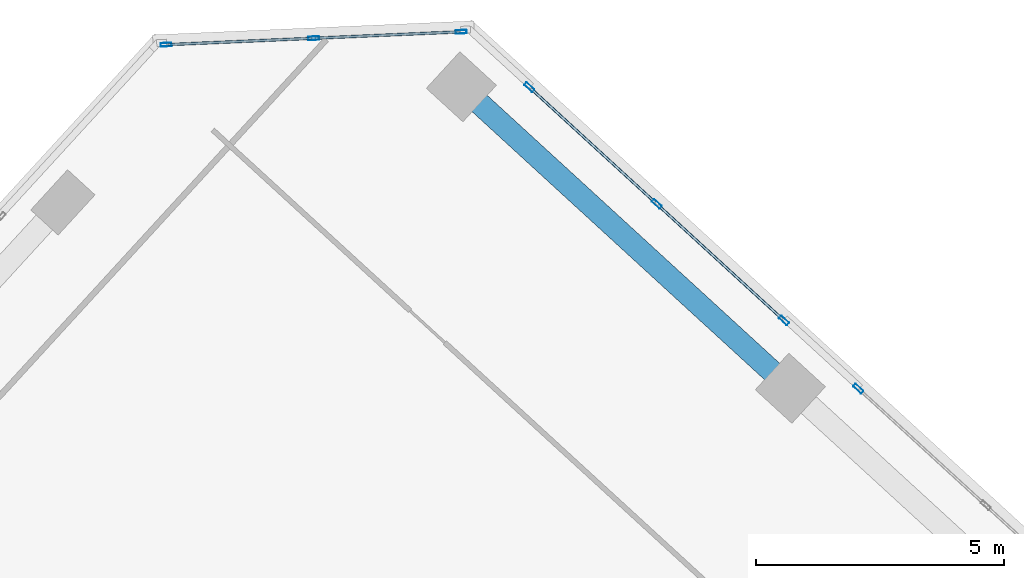
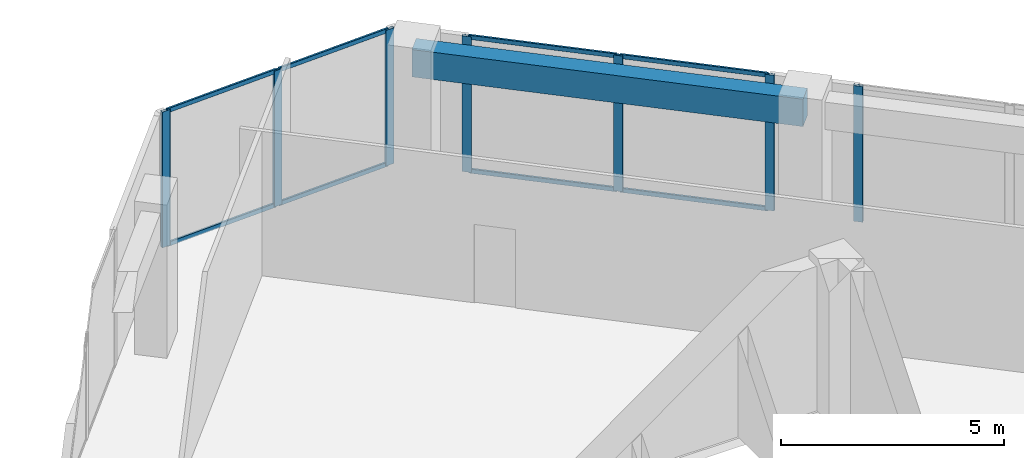
# One storey, part 11 of 18: 15 members, 1 beam, 3 elements without a shape of their own.
"""IFC4 building model written with IfcOpenShell, lengths in metres."""

from ifc_helpers import new_model, si_unit, direction, frame, origin, origin_2d, place, context, subcontext, project, spatial, rectangle, hollow_rectangle, extrude, source, transform, mapped, material, material_profile, profile_set, type_object, element, aggregate, save


model = new_model("IFC4")

# Units and contexts
model_context = context("Model", 3, precision=1e-05, world=origin(), true_north=direction((0.0, 1.0)))
body_context = subcontext(model_context, "Body", "Model", "MODEL_VIEW")
ifc_project = project(units=[si_unit("LENGTHUNIT", "METRE"), si_unit("AREAUNIT", "SQUARE_METRE"), si_unit("VOLUMEUNIT", "CUBIC_METRE"), si_unit("PLANEANGLEUNIT", "RADIAN"), si_unit("MASSUNIT", "GRAM", prefix="KILO")], contexts=[model_context])

# Site, building, storey
site_placement = place(None, origin())
site = spatial("IfcSite", under=ifc_project, at=site_placement, CompositionType="ELEMENT")
building_placement = place(site_placement, origin())
building = spatial("IfcBuilding", under=site, at=building_placement, Name="Torre Montelarca", CompositionType="ELEMENT")
storey_placement = place(building_placement, frame((0.0, 0.0, 233.199951171875)))
storey = spatial("IfcBuildingStorey", under=building, at=storey_placement, Name="L52", CompositionType="ELEMENT", Elevation=233.199951171875)

# Beam
ifc_material_1 = material(Name="Concrete C55/67", Category="concrete")
ifc_material_profile_1 = material_profile(ifc_material_1, rectangle(XDim=0.449951171875, YDim=0.75, at=origin_2d()), Name="RCB450X750", Category="concrete")
ifc_profile_set_1 = profile_set([ifc_material_profile_1], Name="Concrete C55/67")
beam_type = type_object("IfcBeamType", Name="BM-SP-RC750-EXT", PredefinedType="SPANDREL", material=ifc_profile_set_1)
shared_shape_1 = source(origin(), body_context, "Body", "SweptSolid", [
    extrude(rectangle(XDim=0.449951171875, YDim=0.75, at=origin_2d()), origin(), (0.0, 0.0, 1.0), 9.0),
])
beam_placement = place(storey_placement, frame((22.519287109375, 51.614501953125, 3.5849609375), z_axis=(0.73727686361, -0.675590724023, 0.0), x_axis=(0.675590724023, 0.73727686361, 0.0)))
element("IfcBeam", 1, at=beam_placement, inside=storey, type_object=beam_type, Name="L52 Grid Girder X 9.0-18.0 at Y=47.1", PredefinedType="SPANDREL", context=body_context, shape_type="MappedRepresentation", body=[
    mapped(shared_shape_1, transform((0.0, 0.0, 0.0), scale=1.0)),
])

# Curtain wall, members
ifc_material_2 = material(Name="Insulated low-E laminated glass", Category="glass")
curtain_wall_type = type_object("IfcCurtainWallType", Name="CW-SYS-Z3", PredefinedType="USERDEFINED", material=ifc_material_2)
curtain_wall_1_placement = place(storey_placement, origin())
curtain_wall_1 = element("IfcCurtainWall", 2, at=curtain_wall_1_placement, inside=storey, type_object=curtain_wall_type, Name="L52 Curtain Wall Run CW-T3-L52-E09-B1", ObjectType="UNITISED GLAZING", PredefinedType="USERDEFINED")
ifc_material_3 = material(Name="Anodised aluminium AA 6063-T6", Category="aluminium")
ifc_material_profile_2 = material_profile(ifc_material_3, hollow_rectangle(XDim=0.054931640625, YDim=0.1201171875, WallThickness=0.00341796875, InnerFilletRadius=0.00341796875, OuterFilletRadius=0.007080078125, at=origin_2d()), Name="ALU55X120X3.5", Category="aluminium")
ifc_profile_set_2 = profile_set([ifc_material_profile_2], Name="Anodised aluminium AA 6063-T6")
member_type_1 = type_object("IfcMemberType", Name="CWT-ALU120", PredefinedType="USERDEFINED", material=ifc_profile_set_2)
shared_shape_2 = source(origin(), body_context, "Body", "SweptSolid", [
    extrude(hollow_rectangle(XDim=0.054931640625, YDim=0.1201171875, WallThickness=0.00341796875, InnerFilletRadius=0.00341796875, OuterFilletRadius=0.007080078125, at=origin_2d()), origin(), (0.0, 0.0, 1.0), 2.903564453125),
])
member_1_placement = place(storey_placement, frame((22.4775390625, 52.721435546875, 0.027587890625), z_axis=(-0.999047412839, -0.043637906688, 0.0), x_axis=(0.043637906688, -0.999047412839, 0.0)))
member_1 = element("IfcMember", 3, at=member_1_placement, type_object=member_type_1, Name="CW transom 1.1", ObjectType="TRANSOM", PredefinedType="USERDEFINED", context=body_context, shape_type="MappedRepresentation", body=[
    mapped(shared_shape_2, transform((0.0, 0.0, 0.0), scale=1.0)),
])
member_2_placement = place(storey_placement, frame((22.4775390625, 52.721435546875, 3.692626953125), z_axis=(-0.999047412839, -0.043637906688, 0.0), x_axis=(0.043637906688, -0.999047412839, 0.0)))
member_2 = element("IfcMember", 4, at=member_2_placement, type_object=member_type_1, Name="CW transom 1.2", ObjectType="TRANSOM", PredefinedType="USERDEFINED", context=body_context, shape_type="MappedRepresentation", body=[
    mapped(shared_shape_2, transform((0.0, 0.0, 0.0), scale=1.0)),
])
member_3_placement = place(storey_placement, frame((19.501708984375, 52.59130859375, 0.027587890625), z_axis=(-0.99905107494, -0.043553985593, 0.0), x_axis=(0.043553985593, -0.99905107494, 0.0)))
member_3 = element("IfcMember", 5, at=member_3_placement, type_object=member_type_1, Name="CW transom 2.1", ObjectType="TRANSOM", PredefinedType="USERDEFINED", context=body_context, shape_type="MappedRepresentation", body=[
    mapped(shared_shape_2, transform((0.0, 0.0, 0.0), scale=1.0)),
])
member_4_placement = place(storey_placement, frame((19.501708984375, 52.59130859375, 3.692626953125), z_axis=(-0.99905107494, -0.043553985593, 0.0), x_axis=(0.043553985593, -0.99905107494, 0.0)))
member_4 = element("IfcMember", 6, at=member_4_placement, type_object=member_type_1, Name="CW transom 2.2", ObjectType="TRANSOM", PredefinedType="USERDEFINED", context=body_context, shape_type="MappedRepresentation", body=[
    mapped(shared_shape_2, transform((0.0, 0.0, 0.0), scale=1.0)),
])

curtain_wall_2_placement = place(storey_placement, origin())
curtain_wall_2 = element("IfcCurtainWall", 7, at=curtain_wall_2_placement, inside=storey, type_object=curtain_wall_type, Name="L52 Curtain Wall Run CW-T3-L52-E08-B4", ObjectType="UNITISED GLAZING", PredefinedType="USERDEFINED")
shared_shape_3 = source(origin(), body_context, "Body", "SweptSolid", [
    extrude(hollow_rectangle(XDim=0.054931640625, YDim=0.1201171875, WallThickness=0.00341796875, InnerFilletRadius=0.00341796875, OuterFilletRadius=0.007080078125, at=origin_2d()), origin(), (0.0, 0.0, 1.0), 3.407470703125),
])
member_5_placement = place(storey_placement, frame((28.998291015625, 46.92529296875, 0.027587890625), z_axis=(-0.73724335405, 0.675627291418, 0.0), x_axis=(-0.675627291418, -0.73724335405, 0.0)))
member_5 = element("IfcMember", 8, at=member_5_placement, type_object=member_type_1, Name="CW transom 1.1", ObjectType="TRANSOM", PredefinedType="USERDEFINED", context=body_context, shape_type="MappedRepresentation", body=[
    mapped(shared_shape_3, transform((0.0, 0.0, 0.0), scale=1.0)),
])
member_6_placement = place(storey_placement, frame((28.998291015625, 46.92529296875, 3.692626953125), z_axis=(-0.73724335405, 0.675627291418, 0.0), x_axis=(-0.675627291418, -0.73724335405, 0.0)))
member_6 = element("IfcMember", 9, at=member_6_placement, type_object=member_type_1, Name="CW transom 1.2", ObjectType="TRANSOM", PredefinedType="USERDEFINED", context=body_context, shape_type="MappedRepresentation", body=[
    mapped(shared_shape_3, transform((0.0, 0.0, 0.0), scale=1.0)),
])
member_7_placement = place(storey_placement, frame((26.430908203125, 49.278076171875, 0.027587890625), z_axis=(-0.73724335405, 0.675627291418, 0.0), x_axis=(-0.675627291418, -0.73724335405, 0.0)))
member_7 = element("IfcMember", 10, at=member_7_placement, type_object=member_type_1, Name="CW transom 2.1", ObjectType="TRANSOM", PredefinedType="USERDEFINED", context=body_context, shape_type="MappedRepresentation", body=[
    mapped(shared_shape_3, transform((0.0, 0.0, 0.0), scale=1.0)),
])
member_8_placement = place(storey_placement, frame((26.430908203125, 49.278076171875, 3.692626953125), z_axis=(-0.73724335405, 0.675627291418, 0.0), x_axis=(-0.675627291418, -0.73724335405, 0.0)))
member_8 = element("IfcMember", 11, at=member_8_placement, type_object=member_type_1, Name="CW transom 2.2", ObjectType="TRANSOM", PredefinedType="USERDEFINED", context=body_context, shape_type="MappedRepresentation", body=[
    mapped(shared_shape_3, transform((0.0, 0.0, 0.0), scale=1.0)),
])

# Curtain wall, member
curtain_wall_3_placement = place(storey_placement, origin())
curtain_wall_3 = element("IfcCurtainWall", 12, at=curtain_wall_3_placement, inside=storey, type_object=curtain_wall_type, Name="L52 Curtain Wall Run CW-T3-L52-E08-B3", ObjectType="UNITISED GLAZING", PredefinedType="USERDEFINED")
ifc_material_profile_3 = material_profile(ifc_material_3, hollow_rectangle(XDim=0.074951171875, YDim=0.219970703125, WallThickness=0.0048828125, InnerFilletRadius=0.0048828125, OuterFilletRadius=0.010009765625, at=origin_2d()), Name="ALU75X220X5", Category="aluminium")
ifc_profile_set_3 = profile_set([ifc_material_profile_3], Name="Anodised aluminium AA 6063-T6")
member_type_2 = type_object("IfcMemberType", Name="CWM-ALU220", PredefinedType="MULLION", material=ifc_profile_set_3)
shared_shape_4 = source(origin(), body_context, "Body", "SweptSolid", [
    extrude(hollow_rectangle(XDim=0.074951171875, YDim=0.219970703125, WallThickness=0.0048828125, InnerFilletRadius=0.0048828125, OuterFilletRadius=0.010009765625, at=origin_2d()), origin(), (0.0, 0.0, 1.0), 3.719970703125),
])
member_9_placement = place(storey_placement, frame((30.5263671875, 45.525146484375, 0.0), z_axis=(0.0, 0.0, 1.0), x_axis=(-0.67558825214, -0.737279128668, 0.0)))
member_9 = element("IfcMember", 13, at=member_9_placement, type_object=member_type_2, Name="CW mullion 3", PredefinedType="MULLION", context=body_context, shape_type="MappedRepresentation", body=[
    mapped(shared_shape_4, transform((0.0, 0.0, 0.0), scale=1.0)),
])
aggregate(curtain_wall_3, [member_9])

# Member
member_10_placement = place(storey_placement, frame((29.026123046875, 46.900146484375, 0.0), z_axis=(0.0, 0.0, 1.0), x_axis=(-0.6755959734, -0.737272053401, 0.0)))
member_10 = element("IfcMember", 14, at=member_10_placement, type_object=member_type_2, Name="CW mullion 1", PredefinedType="MULLION", context=body_context, shape_type="MappedRepresentation", body=[
    mapped(shared_shape_4, transform((0.0, 0.0, 0.0), scale=1.0)),
])

member_11_placement = place(storey_placement, frame((26.45849609375, 49.252685546875, 0.0), z_axis=(0.0, 0.0, 1.0), x_axis=(-0.6755959734, -0.737272053401, 0.0)))
member_11 = element("IfcMember", 15, at=member_11_placement, type_object=member_type_2, Name="CW mullion 2", PredefinedType="MULLION", context=body_context, shape_type="MappedRepresentation", body=[
    mapped(shared_shape_4, transform((0.0, 0.0, 0.0), scale=1.0)),
])

member_12_placement = place(storey_placement, frame((23.890869140625, 51.60546875, 0.0), z_axis=(0.0, 0.0, 1.0), x_axis=(-0.6755959734, -0.737272053401, 0.0)))
member_12 = element("IfcMember", 16, at=member_12_placement, type_object=member_type_2, Name="CW mullion 3", PredefinedType="MULLION", context=body_context, shape_type="MappedRepresentation", body=[
    mapped(shared_shape_4, transform((0.0, 0.0, 0.0), scale=1.0)),
])

aggregate(curtain_wall_2, [member_10, member_11, member_12, member_5, member_6, member_7, member_8])

member_13_placement = place(storey_placement, frame((22.51513671875, 52.722900390625, 0.0), z_axis=(0.0, 0.0, 1.0), x_axis=(0.043615635968, -0.999048385364, 0.0)))
member_13 = element("IfcMember", 17, at=member_13_placement, type_object=member_type_2, Name="CW mullion 1", PredefinedType="MULLION", context=body_context, shape_type="MappedRepresentation", body=[
    mapped(shared_shape_4, transform((0.0, 0.0, 0.0), scale=1.0)),
])

member_14_placement = place(storey_placement, frame((19.539306640625, 52.593017578125, 0.0), z_axis=(0.0, 0.0, 1.0), x_axis=(0.043615635968, -0.999048385364, 0.0)))
member_14 = element("IfcMember", 18, at=member_14_placement, type_object=member_type_2, Name="CW mullion 2", PredefinedType="MULLION", context=body_context, shape_type="MappedRepresentation", body=[
    mapped(shared_shape_4, transform((0.0, 0.0, 0.0), scale=1.0)),
])

member_15_placement = place(storey_placement, frame((16.5634765625, 52.463134765625, 0.0), z_axis=(0.0, 0.0, 1.0), x_axis=(0.043615635968, -0.999048385364, 0.0)))
member_15 = element("IfcMember", 19, at=member_15_placement, type_object=member_type_2, Name="CW mullion 3", PredefinedType="MULLION", context=body_context, shape_type="MappedRepresentation", body=[
    mapped(shared_shape_4, transform((0.0, 0.0, 0.0), scale=1.0)),
])

aggregate(curtain_wall_1, [member_13, member_14, member_15, member_1, member_2, member_3, member_4])

save(model, "model.ifc")
